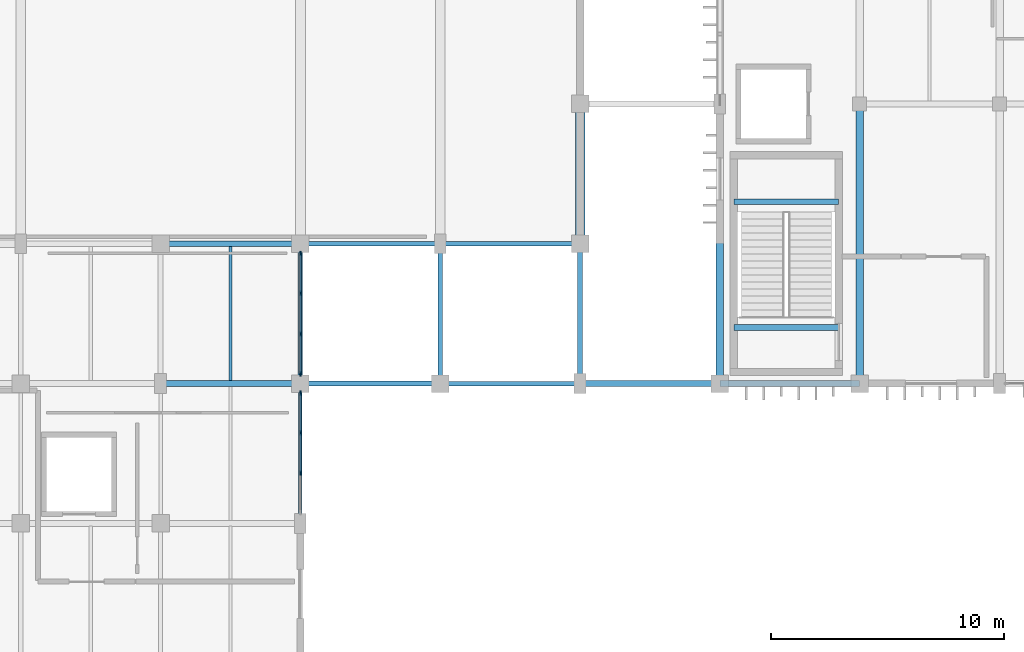
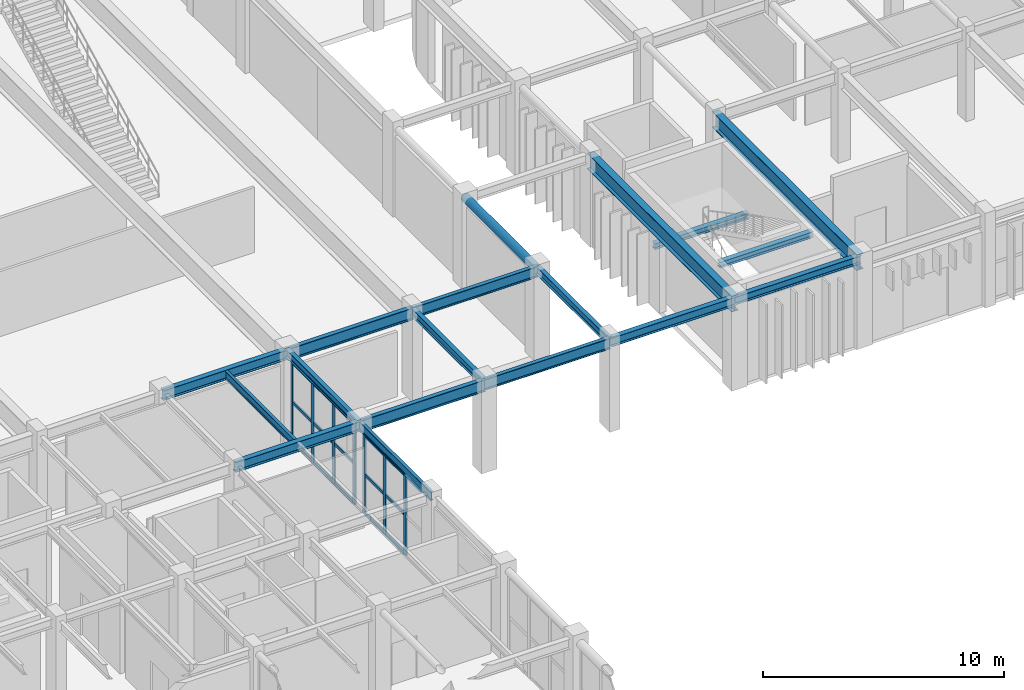
# One storey, part 22 of 76: 22 members, 18 beams, 2 elements without a shape of their own.
"""IFC4 building model written with IfcOpenShell, lengths in metres."""

from ifc_helpers import new_model, si_unit, direction, frame, origin, origin_2d, place, context, subcontext, project, spatial, rectangle, hollow_circle, i_section, extrude, material, material_profile, profile_set, type_object, element, aggregate, save


model = new_model("IFC4")

# Units and contexts
model_context = context("Model", 3, precision=1e-05, world=origin(), true_north=direction((0.0, 1.0)))
body_context = subcontext(model_context, "Body", "Model", "MODEL_VIEW")
ifc_project = project(units=[si_unit("LENGTHUNIT", "METRE"), si_unit("AREAUNIT", "SQUARE_METRE"), si_unit("VOLUMEUNIT", "CUBIC_METRE"), si_unit("PLANEANGLEUNIT", "RADIAN"), si_unit("MASSUNIT", "GRAM", prefix="KILO")], contexts=[model_context])

# Site, building, storey
site_placement = place(None, origin())
site = spatial("IfcSite", under=ifc_project, at=site_placement, CompositionType="ELEMENT")
building_placement = place(site_placement, origin())
building = spatial("IfcBuilding", under=site, at=building_placement, Name="Varnakota Square Police Headquarters", CompositionType="ELEMENT")
storey_placement = place(building_placement, origin())
storey = spatial("IfcBuildingStorey", under=building, at=storey_placement, Name="L00", CompositionType="ELEMENT", Elevation=0.0)

# Beams
ifc_material_1 = material(Name="Steel IS 2062 Grade 350", Category="steel")
ifc_material_profile_1 = material_profile(ifc_material_1, hollow_circle(Radius=0.203125, WallThickness=0.01611328125, at=origin_2d()), Name="CHS 406.4x16.0")
ifc_profile_set_1 = profile_set([ifc_material_profile_1], Name="Steel IS 2062 Grade 350")
beam_type_1 = type_object("IfcBeamType", Name="BM-ARC-CHS406", PredefinedType="BEAM", material=ifc_profile_set_1)
beam_1_placement = place(storey_placement, frame((54.0, 75.0, 4.296875), z_axis=(0.0, 1.0, 0.0), x_axis=(-1.0, 0.0, 0.0)))
element("IfcBeam", 1, at=beam_1_placement, inside=storey, type_object=beam_type_1, Name="BMG-L00-1037", PredefinedType="BEAM", context=body_context, shape_type="SweptSolid", body=[
    extrude(hollow_circle(Radius=0.203125, WallThickness=0.01611328125, at=origin_2d()), origin(), (0.0, 0.0, 1.0), 6.0),
])
ifc_material_profile_2 = material_profile(ifc_material_1, i_section(OverallWidth=0.320068359375, OverallDepth=0.800048828125, WebThickness=0.01611328125, FlangeThickness=0.028076171875, at=origin_2d()), Name="BPG 800x320")
ifc_profile_set_2 = profile_set([ifc_material_profile_2], Name="Steel IS 2062 Grade 350")
beam_type_2 = type_object("IfcBeamType", Name="BM-BPG800", PredefinedType="BEAM", material=ifc_profile_set_2)
for number, where, z_axis, x_axis, name in (
    (2, (60.0, 69.0, 4.10009765625), (0.0, 1.0, 0.0), (-1.0, 0.0, 0.0), "BMG-L00-1044"),
    (3, (66.0, 69.0, 4.10009765625), (0.0, 1.0, 0.0), (-1.0, 0.0, 0.0), "BMG-L00-1048"),
):
    element("IfcBeam", number, at=place(storey_placement, frame(where, z_axis=z_axis, x_axis=x_axis)), inside=storey, type_object=beam_type_2, Name=name, PredefinedType="BEAM", context=body_context, shape_type="SweptSolid", body=[
        extrude(i_section(OverallWidth=0.320068359375, OverallDepth=0.800048828125, WebThickness=0.01611328125, FlangeThickness=0.028076171875, at=origin_2d()), origin(), (0.0, 0.0, 1.0), 12.0),
    ])
ifc_material_profile_3 = material_profile(ifc_material_1, i_section(OverallWidth=0.25, OverallDepth=0.300048828125, WebThickness=0.009521484375, FlangeThickness=0.010498046875, FilletRadius=0.011962890625, at=origin_2d()), Name="ISHB 300")
ifc_profile_set_3 = profile_set([ifc_material_profile_3], Name="Steel IS 2062 Grade 350")
beam_type_3 = type_object("IfcBeamType", Name="BM-ISHB300", PredefinedType="BEAM", material=ifc_profile_set_3)
for number, where, z_axis, x_axis, name in (
    (4, (60.60009765625, 76.80078125, 2.092041015625), (1.0, 0.0, 0.0), (0.0, 1.0, 0.0), "Stair landing support beam BM-LND-0071"),
    (5, (60.60009765625, 71.400146484375, 4.429931640625), (1.0, 0.0, 0.0), (0.0, 1.0, 0.0), "Stair landing support beam BM-LND-0072"),
):
    element("IfcBeam", number, at=place(storey_placement, frame(where, z_axis=z_axis, x_axis=x_axis)), inside=storey, type_object=beam_type_3, Name=name, PredefinedType="BEAM", context=body_context, shape_type="SweptSolid", body=[
        extrude(i_section(OverallWidth=0.25, OverallDepth=0.300048828125, WebThickness=0.009521484375, FlangeThickness=0.010498046875, FilletRadius=0.011962890625, at=origin_2d()), origin(), (0.0, 0.0, 1.0), 4.5),
    ])
ifc_material_profile_4 = material_profile(ifc_material_1, i_section(OverallWidth=0.25, OverallDepth=0.39990234375, WebThickness=0.010498046875, FlangeThickness=0.0126953125, FilletRadius=0.013916015625, at=origin_2d()), Name="ISHB 400")
ifc_profile_set_4 = profile_set([ifc_material_profile_4], Name="Steel IS 2062 Grade 350")
beam_type_4 = type_object("IfcBeamType", Name="BM-ISHB400", PredefinedType="BEAM", material=ifc_profile_set_4)
beam_2_placement = place(storey_placement, frame((60.0, 69.0, 4.300048828125), z_axis=(1.0, 0.0, 0.0), x_axis=(0.0, 1.0, 0.0)))
element("IfcBeam", 6, at=beam_2_placement, inside=storey, type_object=beam_type_4, Name="BMG-L00-0823", PredefinedType="BEAM", context=body_context, shape_type="SweptSolid", body=[
    extrude(i_section(OverallWidth=0.25, OverallDepth=0.39990234375, WebThickness=0.010498046875, FlangeThickness=0.0126953125, FilletRadius=0.013916015625, at=origin_2d()), origin(), (0.0, 0.0, 1.0), 6.0),
])
ifc_material_profile_5 = material_profile(ifc_material_1, i_section(OverallWidth=0.25, OverallDepth=0.449951171875, WebThickness=0.01123046875, FlangeThickness=0.013671875, FilletRadius=0.014892578125, at=origin_2d()), Name="ISHB 450")
ifc_profile_set_5 = profile_set([ifc_material_profile_5], Name="Steel IS 2062 Grade 350")
beam_type_5 = type_object("IfcBeamType", Name="BM-ISHB450", PredefinedType="BEAM", material=ifc_profile_set_5)
beam_3_placement = place(storey_placement, frame((54.0, 69.0, 4.27490234375), z_axis=(1.0, 0.0, 0.0), x_axis=(0.0, 1.0, 0.0)))
element("IfcBeam", 7, at=beam_3_placement, inside=storey, type_object=beam_type_5, Name="BMG-L00-0822", PredefinedType="BEAM", context=body_context, shape_type="SweptSolid", body=[
    extrude(i_section(OverallWidth=0.25, OverallDepth=0.449951171875, WebThickness=0.01123046875, FlangeThickness=0.013671875, FilletRadius=0.014892578125, at=origin_2d()), origin(), (0.0, 0.0, 1.0), 6.0),
])
ifc_material_profile_6 = material_profile(ifc_material_1, i_section(OverallWidth=0.139892578125, OverallDepth=0.39990234375, WebThickness=0.0087890625, FlangeThickness=0.01611328125, FilletRadius=0.013916015625, at=origin_2d()), Name="ISMB 400")
ifc_profile_set_6 = profile_set([ifc_material_profile_6], Name="Steel IS 2062 Grade 350")
beam_type_6 = type_object("IfcBeamType", Name="BM-ISMB400", PredefinedType="JOIST", material=ifc_profile_set_6)
beam_4_placement = place(storey_placement, frame((39.0, 69.123046875, 4.300048828125), z_axis=(0.0, 1.0, 0.0), x_axis=(-1.0, 0.0, 0.0)))
element("IfcBeam", 8, at=beam_4_placement, inside=storey, type_object=beam_type_6, Name="BMG-L00-1235", PredefinedType="JOIST", context=body_context, shape_type="SweptSolid", body=[
    extrude(i_section(OverallWidth=0.139892578125, OverallDepth=0.39990234375, WebThickness=0.0087890625, FlangeThickness=0.01611328125, FilletRadius=0.013916015625, at=origin_2d()), origin(), (0.0, 0.0, 1.0), 5.75390625),
])
ifc_material_profile_7 = material_profile(ifc_material_1, i_section(OverallWidth=0.14990234375, OverallDepth=0.449951171875, WebThickness=0.009521484375, FlangeThickness=0.017333984375, FilletRadius=0.014892578125, at=origin_2d()), Name="ISMB 450")
ifc_profile_set_7 = profile_set([ifc_material_profile_7], Name="Steel IS 2062 Grade 350")
beam_type_7 = type_object("IfcBeamType", Name="BM-ISMB450", PredefinedType="BEAM", material=ifc_profile_set_7)
beam_5_placement = place(storey_placement, frame((42.0, 63.0, 4.27490234375), z_axis=(0.0, 1.0, 0.0), x_axis=(-1.0, 0.0, 0.0)))
element("IfcBeam", 9, at=beam_5_placement, inside=storey, type_object=beam_type_7, Name="BMG-L00-1020", PredefinedType="BEAM", context=body_context, shape_type="SweptSolid", body=[
    extrude(i_section(OverallWidth=0.14990234375, OverallDepth=0.449951171875, WebThickness=0.009521484375, FlangeThickness=0.017333984375, FilletRadius=0.014892578125, at=origin_2d()), origin(), (0.0, 0.0, 1.0), 6.0),
])
ifc_material_profile_8 = material_profile(ifc_material_1, i_section(OverallWidth=0.18994140625, OverallDepth=0.550048828125, WebThickness=0.01123046875, FlangeThickness=0.019287109375, FilletRadius=0.01806640625, at=origin_2d()), Name="ISMB 550")
ifc_profile_set_8 = profile_set([ifc_material_profile_8], Name="Steel IS 2062 Grade 350")
beam_type_8 = type_object("IfcBeamType", Name="BM-ISMB550", PredefinedType="BEAM", material=ifc_profile_set_8)
for number, where, z_axis, x_axis, name in (
    (10, (48.0, 69.0, 4.22509765625), (1.0, 0.0, 0.0), (0.0, 1.0, 0.0), "BMG-L00-0821"),
    (11, (48.0, 75.0, 4.22509765625), (1.0, 0.0, 0.0), (0.0, 1.0, 0.0), "BMG-L00-0846"),
):
    element("IfcBeam", number, at=place(storey_placement, frame(where, z_axis=z_axis, x_axis=x_axis)), inside=storey, type_object=beam_type_8, Name=name, PredefinedType="BEAM", context=body_context, shape_type="SweptSolid", body=[
        extrude(i_section(OverallWidth=0.18994140625, OverallDepth=0.550048828125, WebThickness=0.01123046875, FlangeThickness=0.019287109375, FilletRadius=0.01806640625, at=origin_2d()), origin(), (0.0, 0.0, 1.0), 6.0),
    ])
ifc_material_profile_9 = material_profile(ifc_material_1, i_section(OverallWidth=0.2099609375, OverallDepth=0.60009765625, WebThickness=0.011962890625, FlangeThickness=0.020751953125, FilletRadius=0.02001953125, at=origin_2d()), Name="ISMB 600")
ifc_profile_set_9 = profile_set([ifc_material_profile_9], Name="Steel IS 2062 Grade 350")
beam_type_9 = type_object("IfcBeamType", Name="BM-ISMB600", PredefinedType="BEAM", material=ifc_profile_set_9)
for number, where, z_axis, x_axis, name in (
    (12, (42.0, 69.0, 4.199951171875), (1.0, 0.0, 0.0), (0.0, 1.0, 0.0), "BMG-L00-0820"),
    (13, (42.0, 75.0, 4.199951171875), (1.0, 0.0, 0.0), (0.0, 1.0, 0.0), "BMG-L00-0845"),
):
    element("IfcBeam", number, at=place(storey_placement, frame(where, z_axis=z_axis, x_axis=x_axis)), inside=storey, type_object=beam_type_9, Name=name, PredefinedType="BEAM", context=body_context, shape_type="SweptSolid", body=[
        extrude(i_section(OverallWidth=0.2099609375, OverallDepth=0.60009765625, WebThickness=0.011962890625, FlangeThickness=0.020751953125, FilletRadius=0.02001953125, at=origin_2d()), origin(), (0.0, 0.0, 1.0), 6.0),
    ])
ifc_material_profile_10 = material_profile(ifc_material_1, i_section(OverallWidth=0.199951171875, OverallDepth=0.39990234375, WebThickness=0.008544921875, FlangeThickness=0.012939453125, FilletRadius=0.012939453125, at=origin_2d()), Name="ISWB 400")
ifc_profile_set_10 = profile_set([ifc_material_profile_10], Name="Steel IS 2062 Grade 350")
beam_type_10 = type_object("IfcBeamType", Name="BM-ISWB400", PredefinedType="BEAM", material=ifc_profile_set_10)
for number, where, z_axis, x_axis, name in (
    (14, (42.0, 69.0, 4.300048828125), (0.0, 1.0, 0.0), (-1.0, 0.0, 0.0), "BMG-L00-1021"),
    (15, (48.0, 69.0, 4.300048828125), (0.0, 1.0, 0.0), (-1.0, 0.0, 0.0), "BMG-L00-1027"),
    (16, (54.0, 69.0, 4.300048828125), (0.0, 1.0, 0.0), (-1.0, 0.0, 0.0), "BMG-L00-1036"),
):
    element("IfcBeam", number, at=place(storey_placement, frame(where, z_axis=z_axis, x_axis=x_axis)), inside=storey, type_object=beam_type_10, Name=name, PredefinedType="BEAM", context=body_context, shape_type="SweptSolid", body=[
        extrude(i_section(OverallWidth=0.199951171875, OverallDepth=0.39990234375, WebThickness=0.008544921875, FlangeThickness=0.012939453125, FilletRadius=0.012939453125, at=origin_2d()), origin(), (0.0, 0.0, 1.0), 6.0),
    ])
ifc_material_profile_11 = material_profile(ifc_material_1, i_section(OverallWidth=0.25, OverallDepth=0.5, WebThickness=0.010009765625, FlangeThickness=0.0146484375, FilletRadius=0.014892578125, at=origin_2d()), Name="ISWB 500")
ifc_profile_set_11 = profile_set([ifc_material_profile_11], Name="Steel IS 2062 Grade 350")
beam_type_11 = type_object("IfcBeamType", Name="BM-ISWB500", PredefinedType="BEAM", material=ifc_profile_set_11)
for number, where, z_axis, x_axis, name in (
    (17, (36.0, 69.0, 4.25), (1.0, 0.0, 0.0), (0.0, 1.0, 0.0), "BMG-L00-0819"),
    (18, (36.0, 75.0, 4.25), (1.0, 0.0, 0.0), (0.0, 1.0, 0.0), "BMG-L00-0844"),
):
    element("IfcBeam", number, at=place(storey_placement, frame(where, z_axis=z_axis, x_axis=x_axis)), inside=storey, type_object=beam_type_11, Name=name, PredefinedType="BEAM", context=body_context, shape_type="SweptSolid", body=[
        extrude(i_section(OverallWidth=0.25, OverallDepth=0.5, WebThickness=0.010009765625, FlangeThickness=0.0146484375, FilletRadius=0.014892578125, at=origin_2d()), origin(), (0.0, 0.0, 1.0), 6.0),
    ])

# Curtain wall, members
ifc_material_2 = material(Name="Anodised Aluminium Framing", Category="aluminium")
curtain_wall_type = type_object("IfcCurtainWallType", Name="CW-SYS-D", PredefinedType="NOTDEFINED", material=ifc_material_2)
curtain_wall_1_placement = place(storey_placement, origin())
curtain_wall_1 = element("IfcCurtainWall", 19, at=curtain_wall_1_placement, inside=storey, type_object=curtain_wall_type, Name="Unitised curtain wall CWG-L00-132", PredefinedType="NOTDEFINED")
ifc_material_3 = material(Name="Anodised Aluminium 6063-T6", Category="aluminium")
ifc_material_profile_12 = material_profile(ifc_material_3, rectangle(XDim=0.074951171875, YDim=0.199951171875, at=origin_2d()), Name="ALU MULLION 75x200")
ifc_profile_set_12 = profile_set([ifc_material_profile_12], Name="Anodised Aluminium 6063-T6")
member_type_1 = type_object("IfcMemberType", Name="CWM-180", PredefinedType="MULLION", material=ifc_profile_set_12)
member_1_placement = place(storey_placement, frame((42.0, 65.159912109375, 0.0), z_axis=(0.0, 0.0, 1.0), x_axis=(-1.0, 0.0, 0.0)))
member_1 = element("IfcMember", 20, at=member_1_placement, type_object=member_type_1, Name="CWG-L00-132 mullion 2", PredefinedType="MULLION", context=body_context, shape_type="SweptSolid", body=[
    extrude(rectangle(XDim=0.074951171875, YDim=0.199951171875, at=origin_2d()), origin(), (0.0, 0.0, 1.0), 4.0400390625),
])
member_2_placement = place(storey_placement, frame((42.0, 66.889892578125, 0.0), z_axis=(0.0, 0.0, 1.0), x_axis=(-1.0, 0.0, 0.0)))
member_2 = element("IfcMember", 21, at=member_2_placement, type_object=member_type_1, Name="CWG-L00-132 mullion 3", PredefinedType="MULLION", context=body_context, shape_type="SweptSolid", body=[
    extrude(rectangle(XDim=0.074951171875, YDim=0.199951171875, at=origin_2d()), origin(), (0.0, 0.0, 1.0), 4.0400390625),
])
member_3_placement = place(storey_placement, frame((42.0, 68.58251953125, 0.0), z_axis=(0.0, 0.0, 1.0), x_axis=(-1.0, 0.0, 0.0)))
member_3 = element("IfcMember", 22, at=member_3_placement, type_object=member_type_1, Name="CWG-L00-132 mullion 4", PredefinedType="MULLION", context=body_context, shape_type="SweptSolid", body=[
    extrude(rectangle(XDim=0.074951171875, YDim=0.199951171875, at=origin_2d()), origin(), (0.0, 0.0, 1.0), 4.0400390625),
])

curtain_wall_2_placement = place(storey_placement, origin())
curtain_wall_2 = element("IfcCurtainWall", 23, at=curtain_wall_2_placement, inside=storey, type_object=curtain_wall_type, Name="Unitised curtain wall CWG-L00-133", PredefinedType="NOTDEFINED")
member_4_placement = place(storey_placement, frame((42.0, 69.41748046875, 0.0), z_axis=(0.0, 0.0, 1.0), x_axis=(-1.0, 0.0, 0.0)))
member_4 = element("IfcMember", 24, at=member_4_placement, type_object=member_type_1, Name="CWG-L00-133 mullion 1", PredefinedType="MULLION", context=body_context, shape_type="SweptSolid", body=[
    extrude(rectangle(XDim=0.074951171875, YDim=0.199951171875, at=origin_2d()), origin(), (0.0, 0.0, 1.0), 4.090087890625),
])
member_5_placement = place(storey_placement, frame((42.0, 71.126708984375, 0.0), z_axis=(0.0, 0.0, 1.0), x_axis=(-1.0, 0.0, 0.0)))
member_5 = element("IfcMember", 25, at=member_5_placement, type_object=member_type_1, Name="CWG-L00-133 mullion 2", PredefinedType="MULLION", context=body_context, shape_type="SweptSolid", body=[
    extrude(rectangle(XDim=0.074951171875, YDim=0.199951171875, at=origin_2d()), origin(), (0.0, 0.0, 1.0), 4.090087890625),
])
member_6_placement = place(storey_placement, frame((42.0, 72.873291015625, 0.0), z_axis=(0.0, 0.0, 1.0), x_axis=(-1.0, 0.0, 0.0)))
member_6 = element("IfcMember", 26, at=member_6_placement, type_object=member_type_1, Name="CWG-L00-133 mullion 3", PredefinedType="MULLION", context=body_context, shape_type="SweptSolid", body=[
    extrude(rectangle(XDim=0.074951171875, YDim=0.199951171875, at=origin_2d()), origin(), (0.0, 0.0, 1.0), 4.090087890625),
])
member_7_placement = place(storey_placement, frame((42.0, 74.58251953125, 0.0), z_axis=(0.0, 0.0, 1.0), x_axis=(-1.0, 0.0, 0.0)))
member_7 = element("IfcMember", 27, at=member_7_placement, type_object=member_type_1, Name="CWG-L00-133 mullion 4", PredefinedType="MULLION", context=body_context, shape_type="SweptSolid", body=[
    extrude(rectangle(XDim=0.074951171875, YDim=0.199951171875, at=origin_2d()), origin(), (0.0, 0.0, 1.0), 4.090087890625),
])

# Member
ifc_material_profile_13 = material_profile(ifc_material_3, rectangle(XDim=0.074951171875, YDim=0.159912109375, at=origin_2d()), Name="ALU TRANSOM 75x160")
ifc_profile_set_13 = profile_set([ifc_material_profile_13], Name="Anodised Aluminium 6063-T6")
member_type_2 = type_object("IfcMemberType", Name="CWT-150", PredefinedType="USERDEFINED", material=ifc_profile_set_13)
member_8_placement = place(storey_placement, frame((42.0, 65.197509765625, 0.03759765625), z_axis=(0.0, 1.0, 0.0), x_axis=(-1.0, 0.0, 0.0)))
member_8 = element("IfcMember", 28, at=member_8_placement, type_object=member_type_2, Name="CWG-L00-132 transom 2.1", ObjectType="TRANSOM", PredefinedType="USERDEFINED", context=body_context, shape_type="SweptSolid", body=[
    extrude(rectangle(XDim=0.074951171875, YDim=0.159912109375, at=origin_2d()), origin(), (0.0, 0.0, 1.0), 1.655029296875),
])

member_9_placement = place(storey_placement, frame((42.0, 65.197509765625, 2.02001953125), z_axis=(0.0, 1.0, 0.0), x_axis=(-1.0, 0.0, 0.0)))
member_9 = element("IfcMember", 29, at=member_9_placement, type_object=member_type_2, Name="CWG-L00-132 transom 2.2", ObjectType="TRANSOM", PredefinedType="USERDEFINED", context=body_context, shape_type="SweptSolid", body=[
    extrude(rectangle(XDim=0.074951171875, YDim=0.159912109375, at=origin_2d()), origin(), (0.0, 0.0, 1.0), 1.655029296875),
])

member_10_placement = place(storey_placement, frame((42.0, 65.197509765625, 4.00244140625), z_axis=(0.0, 1.0, 0.0), x_axis=(-1.0, 0.0, 0.0)))
member_10 = element("IfcMember", 30, at=member_10_placement, type_object=member_type_2, Name="CWG-L00-132 transom 2.3", ObjectType="TRANSOM", PredefinedType="USERDEFINED", context=body_context, shape_type="SweptSolid", body=[
    extrude(rectangle(XDim=0.074951171875, YDim=0.159912109375, at=origin_2d()), origin(), (0.0, 0.0, 1.0), 1.655029296875),
])

member_11_placement = place(storey_placement, frame((42.0, 66.927490234375, 0.03759765625), z_axis=(0.0, 1.0, 0.0), x_axis=(-1.0, 0.0, 0.0)))
member_11 = element("IfcMember", 31, at=member_11_placement, type_object=member_type_2, Name="CWG-L00-132 transom 3.1", ObjectType="TRANSOM", PredefinedType="USERDEFINED", context=body_context, shape_type="SweptSolid", body=[
    extrude(rectangle(XDim=0.074951171875, YDim=0.159912109375, at=origin_2d()), origin(), (0.0, 0.0, 1.0), 1.617431640625),
])

member_12_placement = place(storey_placement, frame((42.0, 66.927490234375, 2.02001953125), z_axis=(0.0, 1.0, 0.0), x_axis=(-1.0, 0.0, 0.0)))
member_12 = element("IfcMember", 32, at=member_12_placement, type_object=member_type_2, Name="CWG-L00-132 transom 3.2", ObjectType="TRANSOM", PredefinedType="USERDEFINED", context=body_context, shape_type="SweptSolid", body=[
    extrude(rectangle(XDim=0.074951171875, YDim=0.159912109375, at=origin_2d()), origin(), (0.0, 0.0, 1.0), 1.617431640625),
])

member_13_placement = place(storey_placement, frame((42.0, 66.927490234375, 4.00244140625), z_axis=(0.0, 1.0, 0.0), x_axis=(-1.0, 0.0, 0.0)))
member_13 = element("IfcMember", 33, at=member_13_placement, type_object=member_type_2, Name="CWG-L00-132 transom 3.3", ObjectType="TRANSOM", PredefinedType="USERDEFINED", context=body_context, shape_type="SweptSolid", body=[
    extrude(rectangle(XDim=0.074951171875, YDim=0.159912109375, at=origin_2d()), origin(), (0.0, 0.0, 1.0), 1.617431640625),
])

aggregate(curtain_wall_1, [member_1, member_2, member_3, member_8, member_9, member_10, member_11, member_12, member_13])

member_14_placement = place(storey_placement, frame((42.0, 69.455078125, 0.03759765625), z_axis=(0.0, 1.0, 0.0), x_axis=(-1.0, 0.0, 0.0)))
member_14 = element("IfcMember", 34, at=member_14_placement, type_object=member_type_2, Name="CWG-L00-133 transom 1.1", ObjectType="TRANSOM", PredefinedType="USERDEFINED", context=body_context, shape_type="SweptSolid", body=[
    extrude(rectangle(XDim=0.074951171875, YDim=0.159912109375, at=origin_2d()), origin(), (0.0, 0.0, 1.0), 1.634033203125),
])

member_15_placement = place(storey_placement, frame((42.0, 69.455078125, 2.044921875), z_axis=(0.0, 1.0, 0.0), x_axis=(-1.0, 0.0, 0.0)))
member_15 = element("IfcMember", 35, at=member_15_placement, type_object=member_type_2, Name="CWG-L00-133 transom 1.2", ObjectType="TRANSOM", PredefinedType="USERDEFINED", context=body_context, shape_type="SweptSolid", body=[
    extrude(rectangle(XDim=0.074951171875, YDim=0.159912109375, at=origin_2d()), origin(), (0.0, 0.0, 1.0), 1.634033203125),
])

member_16_placement = place(storey_placement, frame((42.0, 69.455078125, 4.052490234375), z_axis=(0.0, 1.0, 0.0), x_axis=(-1.0, 0.0, 0.0)))
member_16 = element("IfcMember", 36, at=member_16_placement, type_object=member_type_2, Name="CWG-L00-133 transom 1.3", ObjectType="TRANSOM", PredefinedType="USERDEFINED", context=body_context, shape_type="SweptSolid", body=[
    extrude(rectangle(XDim=0.074951171875, YDim=0.159912109375, at=origin_2d()), origin(), (0.0, 0.0, 1.0), 1.634033203125),
])

member_17_placement = place(storey_placement, frame((42.0, 71.1640625, 0.03759765625), z_axis=(0.0, 1.0, 0.0), x_axis=(-1.0, 0.0, 0.0)))
member_17 = element("IfcMember", 37, at=member_17_placement, type_object=member_type_2, Name="CWG-L00-133 transom 2.1", ObjectType="TRANSOM", PredefinedType="USERDEFINED", context=body_context, shape_type="SweptSolid", body=[
    extrude(rectangle(XDim=0.074951171875, YDim=0.159912109375, at=origin_2d()), origin(), (0.0, 0.0, 1.0), 1.671875),
])

member_18_placement = place(storey_placement, frame((42.0, 71.1640625, 2.044921875), z_axis=(0.0, 1.0, 0.0), x_axis=(-1.0, 0.0, 0.0)))
member_18 = element("IfcMember", 38, at=member_18_placement, type_object=member_type_2, Name="CWG-L00-133 transom 2.2", ObjectType="TRANSOM", PredefinedType="USERDEFINED", context=body_context, shape_type="SweptSolid", body=[
    extrude(rectangle(XDim=0.074951171875, YDim=0.159912109375, at=origin_2d()), origin(), (0.0, 0.0, 1.0), 1.671875),
])

member_19_placement = place(storey_placement, frame((42.0, 71.1640625, 4.052490234375), z_axis=(0.0, 1.0, 0.0), x_axis=(-1.0, 0.0, 0.0)))
member_19 = element("IfcMember", 39, at=member_19_placement, type_object=member_type_2, Name="CWG-L00-133 transom 2.3", ObjectType="TRANSOM", PredefinedType="USERDEFINED", context=body_context, shape_type="SweptSolid", body=[
    extrude(rectangle(XDim=0.074951171875, YDim=0.159912109375, at=origin_2d()), origin(), (0.0, 0.0, 1.0), 1.671875),
])

member_20_placement = place(storey_placement, frame((42.0, 72.910888671875, 0.03759765625), z_axis=(0.0, 1.0, 0.0), x_axis=(-1.0, 0.0, 0.0)))
member_20 = element("IfcMember", 40, at=member_20_placement, type_object=member_type_2, Name="CWG-L00-133 transom 3.1", ObjectType="TRANSOM", PredefinedType="USERDEFINED", context=body_context, shape_type="SweptSolid", body=[
    extrude(rectangle(XDim=0.074951171875, YDim=0.159912109375, at=origin_2d()), origin(), (0.0, 0.0, 1.0), 1.634033203125),
])

member_21_placement = place(storey_placement, frame((42.0, 72.910888671875, 2.044921875), z_axis=(0.0, 1.0, 0.0), x_axis=(-1.0, 0.0, 0.0)))
member_21 = element("IfcMember", 41, at=member_21_placement, type_object=member_type_2, Name="CWG-L00-133 transom 3.2", ObjectType="TRANSOM", PredefinedType="USERDEFINED", context=body_context, shape_type="SweptSolid", body=[
    extrude(rectangle(XDim=0.074951171875, YDim=0.159912109375, at=origin_2d()), origin(), (0.0, 0.0, 1.0), 1.634033203125),
])

member_22_placement = place(storey_placement, frame((42.0, 72.910888671875, 4.052490234375), z_axis=(0.0, 1.0, 0.0), x_axis=(-1.0, 0.0, 0.0)))
member_22 = element("IfcMember", 42, at=member_22_placement, type_object=member_type_2, Name="CWG-L00-133 transom 3.3", ObjectType="TRANSOM", PredefinedType="USERDEFINED", context=body_context, shape_type="SweptSolid", body=[
    extrude(rectangle(XDim=0.074951171875, YDim=0.159912109375, at=origin_2d()), origin(), (0.0, 0.0, 1.0), 1.634033203125),
])

aggregate(curtain_wall_2, [member_4, member_5, member_6, member_7, member_14, member_15, member_16, member_17, member_18, member_19, member_20, member_21, member_22])

save(model, "model.ifc")
